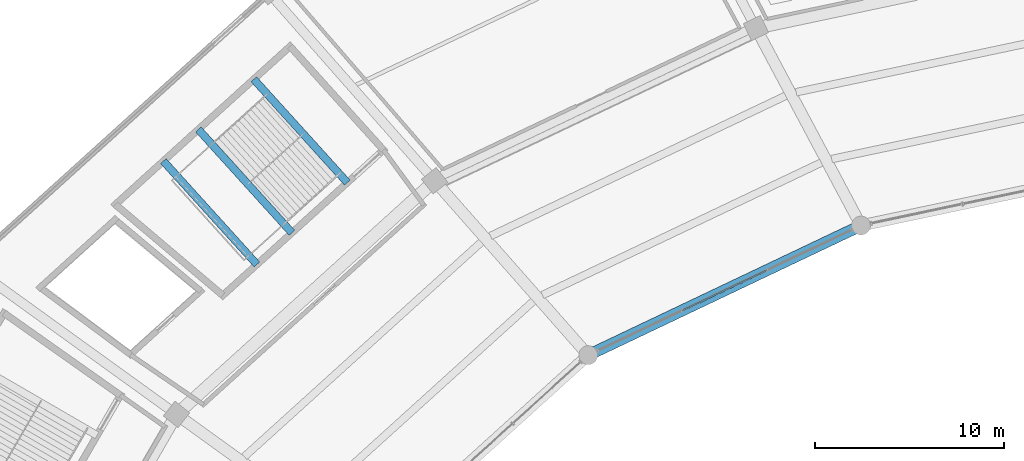
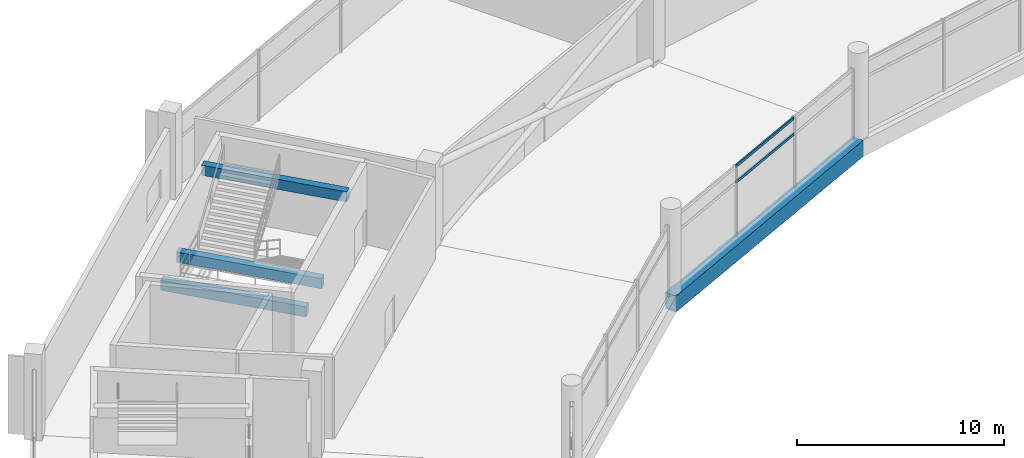
# One storey, part 99 of 184: 4 beams, 2 members, 1 element without a shape of its own.
"""IFC4 building model written with IfcOpenShell, lengths in metres."""

from ifc_helpers import new_model, si_unit, direction, frame, origin, origin_2d, place, context, subcontext, project, spatial, rectangle, hollow_rectangle, extrude, material, layer, layer_set, material_profile, profile_set, type_object, element, aggregate, save


model = new_model("IFC4")

# Units and contexts
model_context = context("Model", 3, precision=1e-05, world=origin(), true_north=direction((0.0, 1.0)))
body_context = subcontext(model_context, "Body", "Model", "MODEL_VIEW")
ifc_project = project(units=[si_unit("LENGTHUNIT", "METRE"), si_unit("AREAUNIT", "SQUARE_METRE"), si_unit("VOLUMEUNIT", "CUBIC_METRE"), si_unit("PLANEANGLEUNIT", "RADIAN"), si_unit("MASSUNIT", "GRAM", prefix="KILO")], contexts=[model_context])

# Site, building, storey
site_placement = place(None, origin())
site = spatial("IfcSite", under=ifc_project, at=site_placement, CompositionType="ELEMENT")
building_placement = place(site_placement, origin())
building = spatial("IfcBuilding", under=site, at=building_placement, Name="Kazemori Nagisa Stadium", CompositionType="ELEMENT")
storey_placement = place(building_placement, frame((0.0, 0.0, 10.5400390625)))
storey = spatial("IfcBuildingStorey", under=building, at=storey_placement, Name="L02", CompositionType="ELEMENT", Elevation=10.5400390625)

# Beams
ifc_material_1 = material(Name="Concrete C40/50 (Fc42)", Category="concrete")
ifc_material_profile_1 = material_profile(ifc_material_1, rectangle(XDim=0.39990234375, YDim=0.60009765625, at=origin_2d()), Name="RC-BM-400x600")
ifc_profile_set_1 = profile_set([ifc_material_profile_1], Name="Concrete C40/50 (Fc42)")
beam_type_1 = type_object("IfcBeamType", Name="Beam_BG-LND400X600", PredefinedType="BEAM", material=ifc_profile_set_1)
beam_1_placement = place(storey_placement, frame((61.607421875, 160.355712890625, 2.050048828125), z_axis=(-0.671113236271, 0.74135485707, 0.0), x_axis=(-0.74135485707, -0.671113236271, 0.0)))
element("IfcBeam", 1, at=beam_1_placement, inside=storey, type_object=beam_type_1, Name="Core stair mid-landing girder ST02-L02-1", PredefinedType="BEAM", context=body_context, shape_type="SweptSolid", body=[
    extrude(rectangle(XDim=0.39990234375, YDim=0.60009765625, at=origin_2d()), origin(), (0.0, 0.0, 1.0), 7.385986328125),
])
beam_2_placement = place(storey_placement, frame((59.75390625, 158.677978515625, 2.050048828125), z_axis=(-0.67111151489, 0.741356415351, 0.0), x_axis=(-0.741356415351, -0.67111151489, 0.0)))
element("IfcBeam", 2, at=beam_2_placement, inside=storey, type_object=beam_type_1, Name="Core stair mid-landing girder ST02-L02-2", PredefinedType="BEAM", context=body_context, shape_type="SweptSolid", body=[
    extrude(rectangle(XDim=0.39990234375, YDim=0.60009765625, at=origin_2d()), origin(), (0.0, 0.0, 1.0), 7.385498046875),
])
beam_3_placement = place(storey_placement, frame((64.543212890625, 163.01318359375, 4.5400390625), z_axis=(-0.671113236271, 0.74135485707, 0.0), x_axis=(-0.74135485707, -0.671113236271, 0.0)))
element("IfcBeam", 3, at=beam_3_placement, inside=storey, type_object=beam_type_1, Name="Core stair arrival header girder ST02-L02", PredefinedType="BEAM", context=body_context, shape_type="SweptSolid", body=[
    extrude(rectangle(XDim=0.39990234375, YDim=0.60009765625, at=origin_2d()), origin(), (0.0, 0.0, 1.0), 7.385986328125),
])
ifc_material_profile_2 = material_profile(ifc_material_1, rectangle(XDim=0.60009765625, YDim=0.949951171875, at=origin_2d()), Name="RC-BM-600x950")
ifc_profile_set_2 = profile_set([ifc_material_profile_2], Name="Concrete C40/50 (Fc42)")
beam_type_2 = type_object("IfcBeamType", Name="Beam_BG-RC600X950", PredefinedType="BEAM", material=ifc_profile_set_2)
beam_4_placement = place(storey_placement, frame((91.75244140625, 160.739013671875, -0.735107421875), z_axis=(-0.903211989129, -0.429194714196, 0.0), x_axis=(0.429194714196, -0.903211989129, 0.0)))
element("IfcBeam", 4, at=beam_4_placement, inside=storey, type_object=beam_type_2, Name="Ring girder BG-RC600X950 L02 R1-10", PredefinedType="BEAM", context=body_context, shape_type="SweptSolid", body=[
    extrude(rectangle(XDim=0.60009765625, YDim=0.949951171875, at=origin_2d()), origin(), (0.0, 0.0, 1.0), 15.997314453125),
])

# Curtain wall, members
ifc_material_2 = material(Name="Anodised aluminium 6063-T5", Category="aluminium")
ifc_layer = layer(ifc_material_2, 0.2099609375, Name="Anodised aluminium 6063-T5", Category="aluminium")
ifc_layer_set = layer_set([ifc_layer], Name="Anodised aluminium 6063-T5")
curtain_wall_type = type_object("IfcCurtainWallType", Name="CW_L02B_75", PredefinedType="USERDEFINED", material=ifc_layer_set)
curtain_wall_placement = place(storey_placement, origin())
curtain_wall = element("IfcCurtainWall", 5, at=curtain_wall_placement, inside=storey, type_object=curtain_wall_type, Name="Unitised curtain wall CW-L02B-75 L02", ObjectType="UNITISED CURTAIN WALL", PredefinedType="USERDEFINED")
ifc_material_3 = material(Name="Aluminium 6063-T5 anodised", Category="aluminium")
ifc_material_profile_3 = material_profile(ifc_material_3, hollow_rectangle(XDim=0.080078125, YDim=0.159912109375, WallThickness=0.00390625, at=origin_2d()), Name="ALU-TRAN-80x160x4")
ifc_profile_set_3 = profile_set([ifc_material_profile_3], Name="Aluminium 6063-T5 anodised")
member_type = type_object("IfcMemberType", Name="Transom_T02", PredefinedType="USERDEFINED", material=ifc_profile_set_3)
member_1_placement = place(storey_placement, frame((86.757080078125, 158.365234375, 3.184326171875), z_axis=(-0.903210397994, -0.429198062618, 0.0), x_axis=(0.429198062618, -0.903210397994, 0.0)))
member_1 = element("IfcMember", 6, at=member_1_placement, type_object=member_type, Name="Curtain wall transom CW-L02B-75-T2-mid", ObjectType="TRANSOM", PredefinedType="USERDEFINED", context=body_context, shape_type="SweptSolid", body=[
    extrude(hollow_rectangle(XDim=0.080078125, YDim=0.159912109375, WallThickness=0.00390625, at=origin_2d()), origin(), (0.0, 0.0, 1.0), 4.935791015625),
])
member_2_placement = place(storey_placement, frame((86.757080078125, 158.365234375, 4.119873046875), z_axis=(-0.903210397994, -0.429198062618, 0.0), x_axis=(0.429198062618, -0.903210397994, 0.0)))
member_2 = element("IfcMember", 7, at=member_2_placement, type_object=member_type, Name="Curtain wall transom CW-L02B-75-T2-head", ObjectType="TRANSOM", PredefinedType="USERDEFINED", context=body_context, shape_type="SweptSolid", body=[
    extrude(hollow_rectangle(XDim=0.080078125, YDim=0.159912109375, WallThickness=0.00390625, at=origin_2d()), origin(), (0.0, 0.0, 1.0), 4.935791015625),
])
aggregate(curtain_wall, [member_1, member_2])

save(model, "model.ifc")
